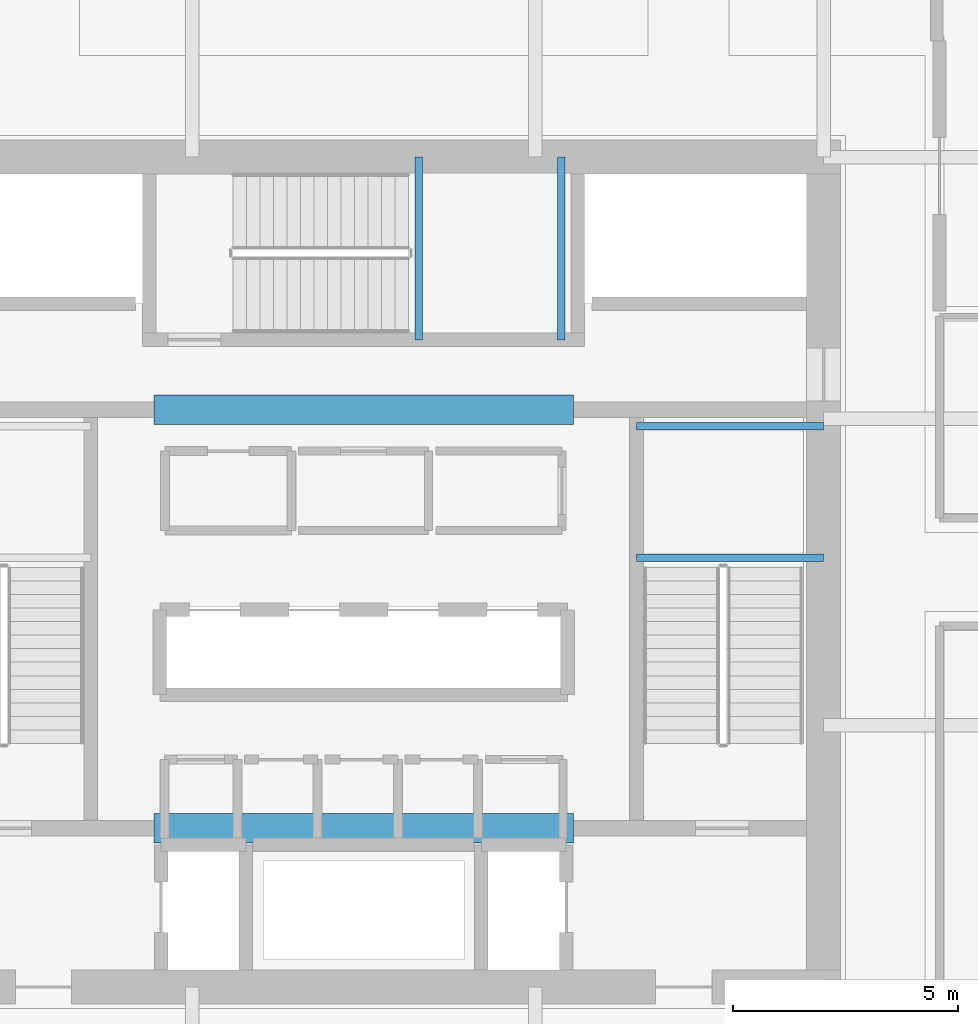
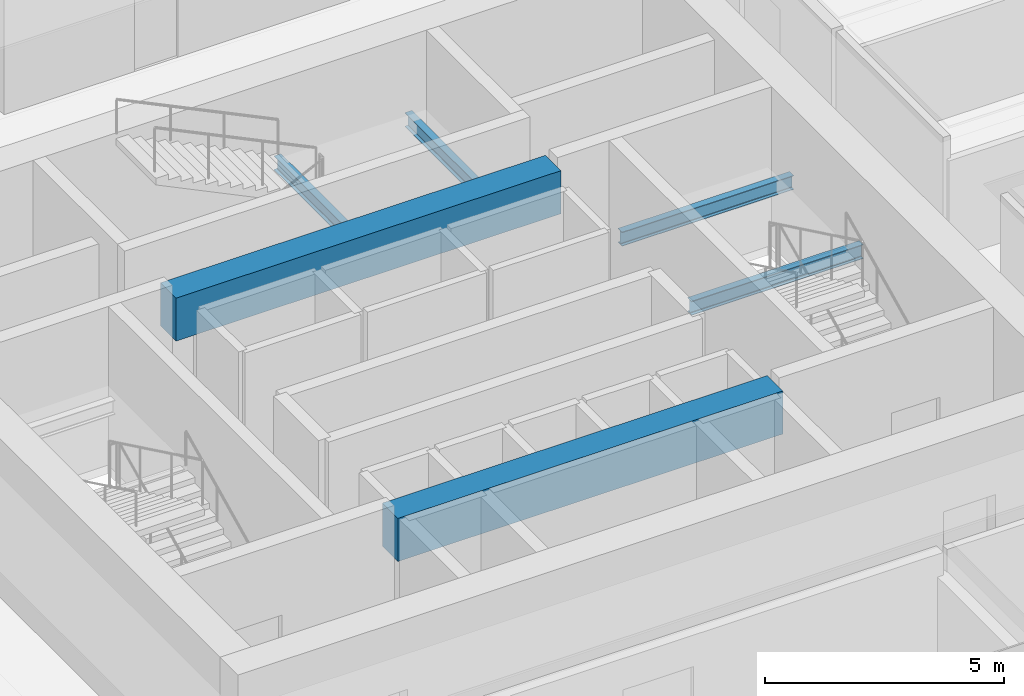
# One storey, part 11 of 34: 6 beams.
"""IFC4 building model written with IfcOpenShell, lengths in metres."""

from ifc_helpers import new_model, si_unit, direction, frame, origin, origin_2d, place, context, subcontext, project, spatial, rectangle, i_section, extrude, material, material_profile, profile_set, type_object, element, save


model = new_model("IFC4")

# Units and contexts
model_context = context("Model", 3, precision=1e-05, world=origin(), true_north=direction((0.0, 1.0)))
body_context = subcontext(model_context, "Body", "Model", "MODEL_VIEW")
ifc_project = project(units=[si_unit("LENGTHUNIT", "METRE"), si_unit("AREAUNIT", "SQUARE_METRE"), si_unit("VOLUMEUNIT", "CUBIC_METRE"), si_unit("PLANEANGLEUNIT", "RADIAN"), si_unit("MASSUNIT", "GRAM", prefix="KILO")], contexts=[model_context])

# Site, building, storey
site_placement = place(None, origin())
site = spatial("IfcSite", under=ifc_project, at=site_placement, CompositionType="ELEMENT")
building_placement = place(site_placement, origin())
building = spatial("IfcBuilding", under=site, at=building_placement, Name="Punatoya Terracotta Tower", CompositionType="ELEMENT")
storey_placement = place(building_placement, frame((0.0, 0.0, 80.85009765625)))
storey = spatial("IfcBuildingStorey", under=building, at=storey_placement, Name="L18", CompositionType="ELEMENT", Elevation=80.85009765625)

# Beams
ifc_material_1 = material(Name="Concrete C60/75", Category="concrete")
ifc_material_profile_1 = material_profile(ifc_material_1, rectangle(XDim=0.64990234375, YDim=1.10009765625, at=origin_2d()))
ifc_profile_set_1 = profile_set([ifc_material_profile_1], Name="Concrete C60/75")
beam_type_1 = type_object("IfcBeamType", Name="BM-RC-1100", PredefinedType="LINTEL", material=ifc_profile_set_1)
for number, where, z_axis, x_axis, name in (
    (1, (-4.64990234375, -5.679931640625, 3.260009765625), (1.0, 0.0, 0.0), (0.0, 1.0, 0.0), "L18 Core Coupling Lintel CSW"),
    (2, (-4.64990234375, 3.60009765625, 3.260009765625), (1.0, 0.0, 0.0), (0.0, 1.0, 0.0), "L18 Core Coupling Lintel CNW"),
):
    element("IfcBeam", number, at=place(storey_placement, frame(where, z_axis=z_axis, x_axis=x_axis)), inside=storey, type_object=beam_type_1, Name=name, PredefinedType="LINTEL", context=body_context, shape_type="SweptSolid", body=[
        extrude(rectangle(XDim=0.64990234375, YDim=1.10009765625, at=origin_2d()), origin(), (0.0, 0.0, 1.0), 9.2998046875),
    ])
ifc_material_2 = material(Name="Steel S355", Category="steel")
ifc_material_profile_2 = material_profile(ifc_material_2, i_section(OverallWidth=0.169921875, OverallDepth=0.360107421875, WebThickness=0.008056640625, FlangeThickness=0.0126953125, FilletRadius=0.01806640625, at=origin_2d()))
ifc_profile_set_2 = profile_set([ifc_material_profile_2], Name="Steel S355")
beam_type_2 = type_object("IfcBeamType", Name="BM-SEC-360", PredefinedType="JOIST", material=ifc_profile_set_2)
for number, where, z_axis, x_axis, name in (
    (3, (6.050048828125, 0.320068359375, 1.64501953125), (1.0, 0.0, 0.0), (0.0, 1.0, 0.0), "BM-L18-ST-2-LD1A"),
    (4, (6.050048828125, 3.22998046875, 1.64501953125), (1.0, 0.0, 0.0), (0.0, 1.0, 0.0), "BM-L18-ST-2-LD1B"),
):
    element("IfcBeam", number, at=place(storey_placement, frame(where, z_axis=z_axis, x_axis=x_axis)), inside=storey, type_object=beam_type_2, Name=name, PredefinedType="JOIST", context=body_context, shape_type="SweptSolid", body=[
        extrude(i_section(OverallWidth=0.169921875, OverallDepth=0.360107421875, WebThickness=0.008056640625, FlangeThickness=0.0126953125, FilletRadius=0.01806640625, at=origin_2d()), origin(), (0.0, 0.0, 1.0), 4.14990234375),
    ])
for number, where, z_axis, x_axis, name in (
    (5, (1.219970703125, 5.14990234375, 1.64501953125), (0.0, 1.0, 0.0), (-1.0, 0.0, 0.0), "BM-L18-ST-3-LD1A"),
    (6, (4.3798828125, 5.14990234375, 1.64501953125), (0.0, 1.0, 0.0), (-1.0, 0.0, 0.0), "BM-L18-ST-3-LD1B"),
):
    element("IfcBeam", number, at=place(storey_placement, frame(where, z_axis=z_axis, x_axis=x_axis)), inside=storey, type_object=beam_type_2, Name=name, PredefinedType="JOIST", context=body_context, shape_type="SweptSolid", body=[
        extrude(i_section(OverallWidth=0.169921875, OverallDepth=0.360107421875, WebThickness=0.008056640625, FlangeThickness=0.0126953125, FilletRadius=0.01806640625, at=origin_2d()), origin(), (0.0, 0.0, 1.0), 4.050048828125),
    ])

save(model, "model.ifc")
